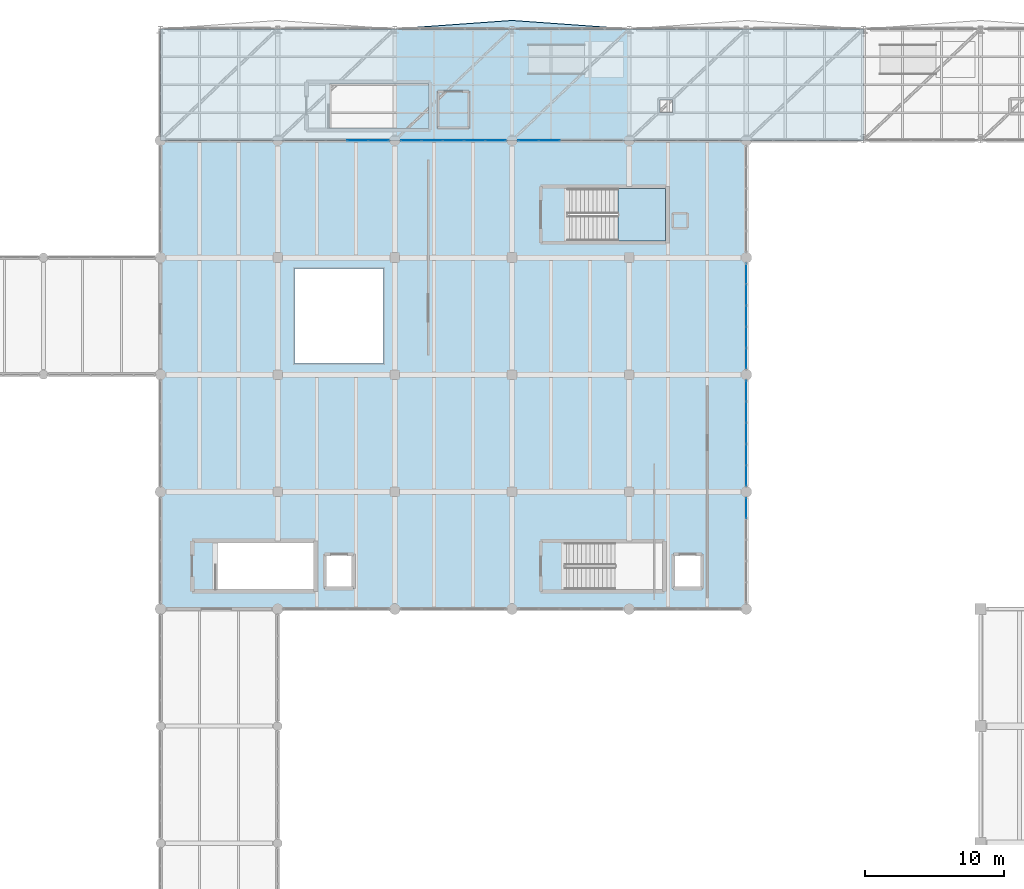
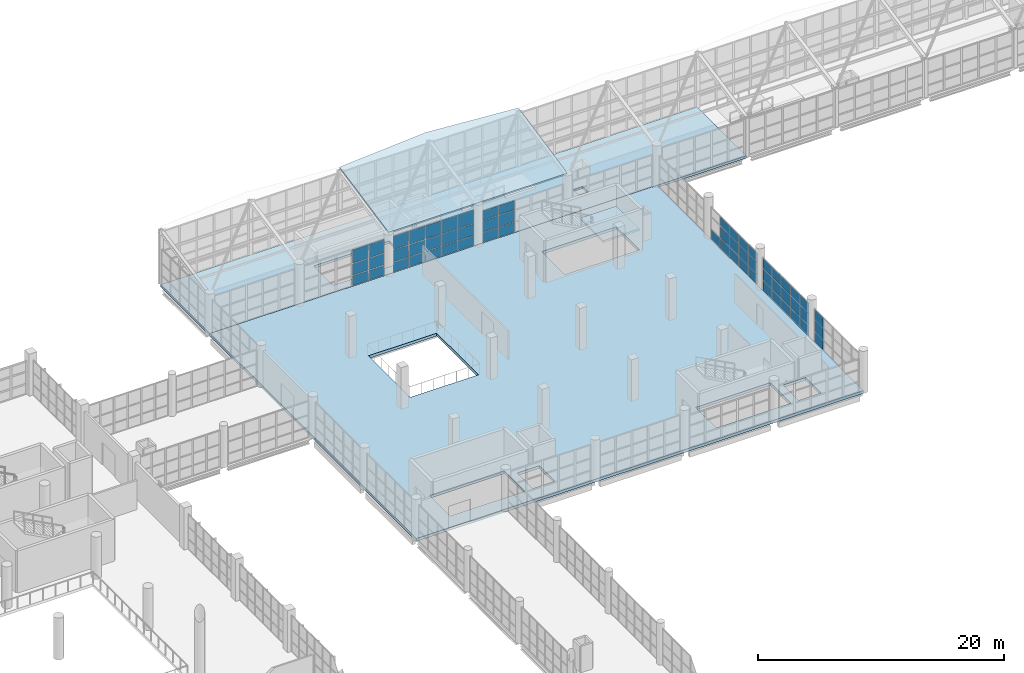
# One storey, part 134 of 177: 58 plates, 4 slabs, 7 elements without a shape of their own.
"""IFC4 building model written with IfcOpenShell, lengths in metres."""

from ifc_helpers import new_model, si_unit, direction, frame, origin, origin_2d, place, context, subcontext, project, spatial, polyline, rectangle, outline, extrude, material, layer, layer_set, type_object, element, aggregate, save


model = new_model("IFC4")

# Units and contexts
model_context = context("Model", 3, precision=1e-05, world=origin(), true_north=direction((0.0, 1.0)))
body_context = subcontext(model_context, "Body", "Model", "MODEL_VIEW")
ifc_project = project(units=[si_unit("LENGTHUNIT", "METRE"), si_unit("AREAUNIT", "SQUARE_METRE"), si_unit("VOLUMEUNIT", "CUBIC_METRE"), si_unit("PLANEANGLEUNIT", "RADIAN"), si_unit("MASSUNIT", "GRAM", prefix="KILO"), si_unit("THERMODYNAMICTEMPERATUREUNIT", "KELVIN"), si_unit("POWERUNIT", "WATT")], contexts=[model_context])

# Site, building, storey
site_placement = place(None, origin())
site = spatial("IfcSite", under=ifc_project, at=site_placement, CompositionType="ELEMENT")
building_placement = place(site_placement, origin())
building = spatial("IfcBuilding", under=site, at=building_placement, Name="Mavoryth Pier Ferry Terminal", CompositionType="ELEMENT")
storey_placement = place(building_placement, frame((0.0, 0.0, 5.43994140625)))
storey = spatial("IfcBuildingStorey", under=building, at=storey_placement, Name="L01", CompositionType="ELEMENT", Elevation=5.43994140625)

# Curtain wall, plates
ifc_material_1 = material(Name="Anodised Aluminium and Solar-Control Low-E Glass", Category="aluminium")
ifc_layer_1 = layer(ifc_material_1, 0.159912109375, Name="Anodised Aluminium and Solar-Control Low-E Glass", Category="aluminium")
ifc_layer_set_1 = layer_set([ifc_layer_1], Name="Anodised Aluminium and Solar-Control Low-E Glass - CW-Arrivals-Mod1400")
curtain_wall_type = type_object("IfcCurtainWallType", Name="CW-Arrivals-Mod1400", PredefinedType="USERDEFINED", material=ifc_layer_set_1)
curtain_wall_1_placement = place(storey_placement, origin())
curtain_wall_1 = element("IfcCurtainWall", 1, at=curtain_wall_1_placement, inside=storey, type_object=curtain_wall_type, Name="Curtain Wall CW-0122-052", ObjectType="UNITISED CURTAIN WALL", PredefinedType="USERDEFINED")
ifc_material_2 = material(Name="Solar-Control Low-E Laminated Double Glazing", Category="glass")
ifc_layer_2 = layer(ifc_material_2, 0.02392578125, Name="Solar-Control Low-E Laminated Double Glazing", Category="glass")
ifc_layer_set_2 = layer_set([ifc_layer_2], Name="Solar-Control Low-E Laminated Double Glazing - Panel-LowE-DGU-24")
plate_type = type_object("IfcPlateType", Name="Panel-LowE-DGU-24", PredefinedType="CURTAIN_PANEL", material=ifc_layer_set_2)
plate_1_placement = place(storey_placement, frame((66.032958984375, 106.0, 0.06005859375), z_axis=(0.0, 0.0, 1.0), x_axis=(-1.0, 0.0, 0.0)))
plate_1 = element("IfcPlate", 2, at=plate_1_placement, type_object=plate_type, Name="CW04 panel 1.1", PredefinedType="CURTAIN_PANEL", context=body_context, shape_type="SweptSolid", body=[
    extrude(rectangle(XDim=1.43408203125, YDim=0.02392578125, at=origin_2d()), origin(), (0.0, 0.0, 1.0), 0.9599609375),
])
plate_2_placement = place(storey_placement, frame((66.032958984375, 106.0, 1.080078125), z_axis=(0.0, 0.0, 1.0), x_axis=(-1.0, 0.0, 0.0)))
plate_2 = element("IfcPlate", 3, at=plate_2_placement, type_object=plate_type, Name="CW04 panel 1.2", PredefinedType="CURTAIN_PANEL", context=body_context, shape_type="SweptSolid", body=[
    extrude(rectangle(XDim=1.43408203125, YDim=0.02392578125, at=origin_2d()), origin(), (0.0, 0.0, 1.0), 1.139892578125),
])
plate_3_placement = place(storey_placement, frame((66.032958984375, 106.0, 2.27978515625), z_axis=(0.0, 0.0, 1.0), x_axis=(-1.0, 0.0, 0.0)))
plate_3 = element("IfcPlate", 4, at=plate_3_placement, type_object=plate_type, Name="CW04 panel 1.3", PredefinedType="CURTAIN_PANEL", context=body_context, shape_type="SweptSolid", body=[
    extrude(rectangle(XDim=1.43408203125, YDim=0.02392578125, at=origin_2d()), origin(), (0.0, 0.0, 1.0), 1.320068359375),
])
plate_4_placement = place(storey_placement, frame((64.52392578125, 106.0, 0.06005859375), z_axis=(0.0, 0.0, 1.0), x_axis=(-1.0, 0.0, 0.0)))
plate_4 = element("IfcPlate", 5, at=plate_4_placement, type_object=plate_type, Name="CW04 panel 2.1", PredefinedType="CURTAIN_PANEL", context=body_context, shape_type="SweptSolid", body=[
    extrude(rectangle(XDim=1.464111328125, YDim=0.02392578125, at=origin_2d()), origin(), (0.0, 0.0, 1.0), 0.9599609375),
])
plate_5_placement = place(storey_placement, frame((64.52392578125, 106.0, 1.080078125), z_axis=(0.0, 0.0, 1.0), x_axis=(-1.0, 0.0, 0.0)))
plate_5 = element("IfcPlate", 6, at=plate_5_placement, type_object=plate_type, Name="CW04 panel 2.2", PredefinedType="CURTAIN_PANEL", context=body_context, shape_type="SweptSolid", body=[
    extrude(rectangle(XDim=1.464111328125, YDim=0.02392578125, at=origin_2d()), origin(), (0.0, 0.0, 1.0), 1.139892578125),
])
plate_6_placement = place(storey_placement, frame((64.52392578125, 106.0, 2.27978515625), z_axis=(0.0, 0.0, 1.0), x_axis=(-1.0, 0.0, 0.0)))
plate_6 = element("IfcPlate", 7, at=plate_6_placement, type_object=plate_type, Name="CW04 panel 2.3", PredefinedType="CURTAIN_PANEL", context=body_context, shape_type="SweptSolid", body=[
    extrude(rectangle(XDim=1.464111328125, YDim=0.02392578125, at=origin_2d()), origin(), (0.0, 0.0, 1.0), 1.320068359375),
])
aggregate(curtain_wall_1, [plate_1, plate_2, plate_3, plate_4, plate_5, plate_6])

curtain_wall_2_placement = place(storey_placement, origin())
curtain_wall_2 = element("IfcCurtainWall", 8, at=curtain_wall_2_placement, inside=storey, type_object=curtain_wall_type, Name="Curtain Wall CW-0122-055", ObjectType="UNITISED CURTAIN WALL", PredefinedType="USERDEFINED")
plate_7_placement = place(storey_placement, frame((74.43310546875, 106.0, 0.06005859375), z_axis=(0.0, 0.0, 1.0), x_axis=(-1.0, 0.0, 0.0)))
plate_7 = element("IfcPlate", 9, at=plate_7_placement, type_object=plate_type, Name="CW04 panel 1.1", PredefinedType="CURTAIN_PANEL", context=body_context, shape_type="SweptSolid", body=[
    extrude(rectangle(XDim=1.43408203125, YDim=0.02392578125, at=origin_2d()), origin(), (0.0, 0.0, 1.0), 0.9599609375),
])
plate_8_placement = place(storey_placement, frame((74.43310546875, 106.0, 1.080078125), z_axis=(0.0, 0.0, 1.0), x_axis=(-1.0, 0.0, 0.0)))
plate_8 = element("IfcPlate", 10, at=plate_8_placement, type_object=plate_type, Name="CW04 panel 1.2", PredefinedType="CURTAIN_PANEL", context=body_context, shape_type="SweptSolid", body=[
    extrude(rectangle(XDim=1.43408203125, YDim=0.02392578125, at=origin_2d()), origin(), (0.0, 0.0, 1.0), 1.139892578125),
])
plate_9_placement = place(storey_placement, frame((74.43310546875, 106.0, 2.27978515625), z_axis=(0.0, 0.0, 1.0), x_axis=(-1.0, 0.0, 0.0)))
plate_9 = element("IfcPlate", 11, at=plate_9_placement, type_object=plate_type, Name="CW04 panel 1.3", PredefinedType="CURTAIN_PANEL", context=body_context, shape_type="SweptSolid", body=[
    extrude(rectangle(XDim=1.43408203125, YDim=0.02392578125, at=origin_2d()), origin(), (0.0, 0.0, 1.0), 1.320068359375),
])
plate_10_placement = place(storey_placement, frame((72.924072265625, 106.0, 0.06005859375), z_axis=(0.0, 0.0, 1.0), x_axis=(-1.0, 0.0, 0.0)))
plate_10 = element("IfcPlate", 12, at=plate_10_placement, type_object=plate_type, Name="CW04 panel 2.1", PredefinedType="CURTAIN_PANEL", context=body_context, shape_type="SweptSolid", body=[
    extrude(rectangle(XDim=1.464111328125, YDim=0.02392578125, at=origin_2d()), origin(), (0.0, 0.0, 1.0), 0.9599609375),
])
plate_11_placement = place(storey_placement, frame((72.924072265625, 106.0, 1.080078125), z_axis=(0.0, 0.0, 1.0), x_axis=(-1.0, 0.0, 0.0)))
plate_11 = element("IfcPlate", 13, at=plate_11_placement, type_object=plate_type, Name="CW04 panel 2.2", PredefinedType="CURTAIN_PANEL", context=body_context, shape_type="SweptSolid", body=[
    extrude(rectangle(XDim=1.464111328125, YDim=0.02392578125, at=origin_2d()), origin(), (0.0, 0.0, 1.0), 1.139892578125),
])
plate_12_placement = place(storey_placement, frame((72.924072265625, 106.0, 2.27978515625), z_axis=(0.0, 0.0, 1.0), x_axis=(-1.0, 0.0, 0.0)))
plate_12 = element("IfcPlate", 14, at=plate_12_placement, type_object=plate_type, Name="CW04 panel 2.3", PredefinedType="CURTAIN_PANEL", context=body_context, shape_type="SweptSolid", body=[
    extrude(rectangle(XDim=1.464111328125, YDim=0.02392578125, at=origin_2d()), origin(), (0.0, 0.0, 1.0), 1.320068359375),
])
plate_13_placement = place(storey_placement, frame((71.39990234375, 106.0, 0.06005859375), z_axis=(0.0, 0.0, 1.0), x_axis=(-1.0, 0.0, 0.0)))
plate_13 = element("IfcPlate", 15, at=plate_13_placement, type_object=plate_type, Name="CW04 panel 3.1", PredefinedType="CURTAIN_PANEL", context=body_context, shape_type="SweptSolid", body=[
    extrude(rectangle(XDim=1.464111328125, YDim=0.02392578125, at=origin_2d()), origin(), (0.0, 0.0, 1.0), 0.9599609375),
])
plate_14_placement = place(storey_placement, frame((71.39990234375, 106.0, 1.080078125), z_axis=(0.0, 0.0, 1.0), x_axis=(-1.0, 0.0, 0.0)))
plate_14 = element("IfcPlate", 16, at=plate_14_placement, type_object=plate_type, Name="CW04 panel 3.2", PredefinedType="CURTAIN_PANEL", context=body_context, shape_type="SweptSolid", body=[
    extrude(rectangle(XDim=1.464111328125, YDim=0.02392578125, at=origin_2d()), origin(), (0.0, 0.0, 1.0), 1.139892578125),
])
plate_15_placement = place(storey_placement, frame((71.39990234375, 106.0, 2.27978515625), z_axis=(0.0, 0.0, 1.0), x_axis=(-1.0, 0.0, 0.0)))
plate_15 = element("IfcPlate", 17, at=plate_15_placement, type_object=plate_type, Name="CW04 panel 3.3", PredefinedType="CURTAIN_PANEL", context=body_context, shape_type="SweptSolid", body=[
    extrude(rectangle(XDim=1.464111328125, YDim=0.02392578125, at=origin_2d()), origin(), (0.0, 0.0, 1.0), 1.320068359375),
])
plate_16_placement = place(storey_placement, frame((69.8759765625, 106.0, 0.06005859375), z_axis=(0.0, 0.0, 1.0), x_axis=(-1.0, 0.0, 0.0)))
plate_16 = element("IfcPlate", 18, at=plate_16_placement, type_object=plate_type, Name="CW04 panel 4.1", PredefinedType="CURTAIN_PANEL", context=body_context, shape_type="SweptSolid", body=[
    extrude(rectangle(XDim=1.464111328125, YDim=0.02392578125, at=origin_2d()), origin(), (0.0, 0.0, 1.0), 0.9599609375),
])
plate_17_placement = place(storey_placement, frame((69.8759765625, 106.0, 1.080078125), z_axis=(0.0, 0.0, 1.0), x_axis=(-1.0, 0.0, 0.0)))
plate_17 = element("IfcPlate", 19, at=plate_17_placement, type_object=plate_type, Name="CW04 panel 4.2", PredefinedType="CURTAIN_PANEL", context=body_context, shape_type="SweptSolid", body=[
    extrude(rectangle(XDim=1.464111328125, YDim=0.02392578125, at=origin_2d()), origin(), (0.0, 0.0, 1.0), 1.139892578125),
])
plate_18_placement = place(storey_placement, frame((69.8759765625, 106.0, 2.27978515625), z_axis=(0.0, 0.0, 1.0), x_axis=(-1.0, 0.0, 0.0)))
plate_18 = element("IfcPlate", 20, at=plate_18_placement, type_object=plate_type, Name="CW04 panel 4.3", PredefinedType="CURTAIN_PANEL", context=body_context, shape_type="SweptSolid", body=[
    extrude(rectangle(XDim=1.464111328125, YDim=0.02392578125, at=origin_2d()), origin(), (0.0, 0.0, 1.0), 1.320068359375),
])
plate_19_placement = place(storey_placement, frame((68.366943359375, 106.0, 0.06005859375), z_axis=(0.0, 0.0, 1.0), x_axis=(-1.0, 0.0, 0.0)))
plate_19 = element("IfcPlate", 21, at=plate_19_placement, type_object=plate_type, Name="CW04 panel 5.1", PredefinedType="CURTAIN_PANEL", context=body_context, shape_type="SweptSolid", body=[
    extrude(rectangle(XDim=1.43408203125, YDim=0.02392578125, at=origin_2d()), origin(), (0.0, 0.0, 1.0), 0.9599609375),
])
plate_20_placement = place(storey_placement, frame((68.366943359375, 106.0, 1.080078125), z_axis=(0.0, 0.0, 1.0), x_axis=(-1.0, 0.0, 0.0)))
plate_20 = element("IfcPlate", 22, at=plate_20_placement, type_object=plate_type, Name="CW04 panel 5.2", PredefinedType="CURTAIN_PANEL", context=body_context, shape_type="SweptSolid", body=[
    extrude(rectangle(XDim=1.43408203125, YDim=0.02392578125, at=origin_2d()), origin(), (0.0, 0.0, 1.0), 1.139892578125),
])
plate_21_placement = place(storey_placement, frame((68.366943359375, 106.0, 2.27978515625), z_axis=(0.0, 0.0, 1.0), x_axis=(-1.0, 0.0, 0.0)))
plate_21 = element("IfcPlate", 23, at=plate_21_placement, type_object=plate_type, Name="CW04 panel 5.3", PredefinedType="CURTAIN_PANEL", context=body_context, shape_type="SweptSolid", body=[
    extrude(rectangle(XDim=1.43408203125, YDim=0.02392578125, at=origin_2d()), origin(), (0.0, 0.0, 1.0), 1.320068359375),
])
aggregate(curtain_wall_2, [plate_7, plate_8, plate_9, plate_10, plate_11, plate_12, plate_13, plate_14, plate_15, plate_16, plate_17, plate_18, plate_19, plate_20, plate_21])

curtain_wall_3_placement = place(storey_placement, origin())
curtain_wall_3 = element("IfcCurtainWall", 24, at=curtain_wall_3_placement, inside=storey, type_object=curtain_wall_type, Name="Curtain Wall CW-0122-058", ObjectType="UNITISED CURTAIN WALL", PredefinedType="USERDEFINED")
plate_22_placement = place(storey_placement, frame((78.27587890625, 106.0, 0.06005859375), z_axis=(0.0, 0.0, 1.0), x_axis=(-1.0, 0.0, 0.0)))
plate_22 = element("IfcPlate", 25, at=plate_22_placement, type_object=plate_type, Name="CW04 panel 4.1", PredefinedType="CURTAIN_PANEL", context=body_context, shape_type="SweptSolid", body=[
    extrude(rectangle(XDim=1.464111328125, YDim=0.02392578125, at=origin_2d()), origin(), (0.0, 0.0, 1.0), 0.9599609375),
])
plate_23_placement = place(storey_placement, frame((78.27587890625, 106.0, 1.080078125), z_axis=(0.0, 0.0, 1.0), x_axis=(-1.0, 0.0, 0.0)))
plate_23 = element("IfcPlate", 26, at=plate_23_placement, type_object=plate_type, Name="CW04 panel 4.2", PredefinedType="CURTAIN_PANEL", context=body_context, shape_type="SweptSolid", body=[
    extrude(rectangle(XDim=1.464111328125, YDim=0.02392578125, at=origin_2d()), origin(), (0.0, 0.0, 1.0), 1.139892578125),
])
plate_24_placement = place(storey_placement, frame((78.27587890625, 106.0, 2.2802734375), z_axis=(0.0, 0.0, 1.0), x_axis=(-1.0, 0.0, 0.0)))
plate_24 = element("IfcPlate", 27, at=plate_24_placement, type_object=plate_type, Name="CW04 panel 4.3", PredefinedType="CURTAIN_PANEL", context=body_context, shape_type="SweptSolid", body=[
    extrude(rectangle(XDim=1.464111328125, YDim=0.02392578125, at=origin_2d()), origin(), (0.0, 0.0, 1.0), 0.905029296875),
])
plate_25_placement = place(storey_placement, frame((76.76708984375, 106.0, 0.06005859375), z_axis=(0.0, 0.0, 1.0), x_axis=(-1.0, 0.0, 0.0)))
plate_25 = element("IfcPlate", 28, at=plate_25_placement, type_object=plate_type, Name="CW04 panel 5.1", PredefinedType="CURTAIN_PANEL", context=body_context, shape_type="SweptSolid", body=[
    extrude(rectangle(XDim=1.43408203125, YDim=0.02392578125, at=origin_2d()), origin(), (0.0, 0.0, 1.0), 0.9599609375),
])
plate_26_placement = place(storey_placement, frame((76.76708984375, 106.0, 1.080078125), z_axis=(0.0, 0.0, 1.0), x_axis=(-1.0, 0.0, 0.0)))
plate_26 = element("IfcPlate", 29, at=plate_26_placement, type_object=plate_type, Name="CW04 panel 5.2", PredefinedType="CURTAIN_PANEL", context=body_context, shape_type="SweptSolid", body=[
    extrude(rectangle(XDim=1.43408203125, YDim=0.02392578125, at=origin_2d()), origin(), (0.0, 0.0, 1.0), 1.139892578125),
])
plate_27_placement = place(storey_placement, frame((76.76708984375, 106.0, 2.2802734375), z_axis=(0.0, 0.0, 1.0), x_axis=(-1.0, 0.0, 0.0)))
plate_27 = element("IfcPlate", 30, at=plate_27_placement, type_object=plate_type, Name="CW04 panel 5.3", PredefinedType="CURTAIN_PANEL", context=body_context, shape_type="SweptSolid", body=[
    extrude(rectangle(XDim=1.43408203125, YDim=0.02392578125, at=origin_2d()), origin(), (0.0, 0.0, 1.0), 0.905029296875),
])
aggregate(curtain_wall_3, [plate_22, plate_23, plate_24, plate_25, plate_26, plate_27])

curtain_wall_4_placement = place(storey_placement, origin())
curtain_wall_4 = element("IfcCurtainWall", 31, at=curtain_wall_4_placement, inside=storey, type_object=curtain_wall_type, Name="Curtain Wall CW-0122-065", ObjectType="UNITISED CURTAIN WALL", PredefinedType="USERDEFINED")
plate_28_placement = place(storey_placement, frame((92.39990234375, 79.633056640625, 0.06005859375), z_axis=(0.0, 0.0, 1.0), x_axis=(0.0, 1.0, 0.0)))
plate_28 = element("IfcPlate", 32, at=plate_28_placement, type_object=plate_type, Name="CW04 panel 5.1", PredefinedType="CURTAIN_PANEL", context=body_context, shape_type="SweptSolid", body=[
    extrude(rectangle(XDim=1.43408203125, YDim=0.02392578125, at=origin_2d()), origin(), (0.0, 0.0, 1.0), 0.9599609375),
])
plate_29_placement = place(storey_placement, frame((92.39990234375, 79.633056640625, 1.080078125), z_axis=(0.0, 0.0, 1.0), x_axis=(0.0, 1.0, 0.0)))
plate_29 = element("IfcPlate", 33, at=plate_29_placement, type_object=plate_type, Name="CW04 panel 5.2", PredefinedType="CURTAIN_PANEL", context=body_context, shape_type="SweptSolid", body=[
    extrude(rectangle(XDim=1.43408203125, YDim=0.02392578125, at=origin_2d()), origin(), (0.0, 0.0, 1.0), 1.139892578125),
])
plate_30_placement = place(storey_placement, frame((92.39990234375, 79.633056640625, 2.27978515625), z_axis=(0.0, 0.0, 1.0), x_axis=(0.0, 1.0, 0.0)))
plate_30 = element("IfcPlate", 34, at=plate_30_placement, type_object=plate_type, Name="CW04 panel 5.3", PredefinedType="CURTAIN_PANEL", context=body_context, shape_type="SweptSolid", body=[
    extrude(rectangle(XDim=1.43408203125, YDim=0.02392578125, at=origin_2d()), origin(), (0.0, 0.0, 1.0), 0.985107421875),
])
aggregate(curtain_wall_4, [plate_28, plate_29, plate_30])

curtain_wall_5_placement = place(storey_placement, origin())
curtain_wall_5 = element("IfcCurtainWall", 35, at=curtain_wall_5_placement, inside=storey, type_object=curtain_wall_type, Name="Curtain Wall CW-0122-067", ObjectType="UNITISED CURTAIN WALL", PredefinedType="USERDEFINED")
plate_31_placement = place(storey_placement, frame((92.39990234375, 81.967041015625, 0.06005859375), z_axis=(0.0, 0.0, 1.0), x_axis=(0.0, 1.0, 0.0)))
plate_31 = element("IfcPlate", 36, at=plate_31_placement, type_object=plate_type, Name="CW04 panel 1.1", PredefinedType="CURTAIN_PANEL", context=body_context, shape_type="SweptSolid", body=[
    extrude(rectangle(XDim=1.43408203125, YDim=0.02392578125, at=origin_2d()), origin(), (0.0, 0.0, 1.0), 0.9599609375),
])
plate_32_placement = place(storey_placement, frame((92.39990234375, 81.967041015625, 1.080078125), z_axis=(0.0, 0.0, 1.0), x_axis=(0.0, 1.0, 0.0)))
plate_32 = element("IfcPlate", 37, at=plate_32_placement, type_object=plate_type, Name="CW04 panel 1.2", PredefinedType="CURTAIN_PANEL", context=body_context, shape_type="SweptSolid", body=[
    extrude(rectangle(XDim=1.43408203125, YDim=0.02392578125, at=origin_2d()), origin(), (0.0, 0.0, 1.0), 1.139892578125),
])
plate_33_placement = place(storey_placement, frame((92.39990234375, 81.967041015625, 2.27978515625), z_axis=(0.0, 0.0, 1.0), x_axis=(0.0, 1.0, 0.0)))
plate_33 = element("IfcPlate", 38, at=plate_33_placement, type_object=plate_type, Name="CW04 panel 1.3", PredefinedType="CURTAIN_PANEL", context=body_context, shape_type="SweptSolid", body=[
    extrude(rectangle(XDim=1.43408203125, YDim=0.02392578125, at=origin_2d()), origin(), (0.0, 0.0, 1.0), 0.985107421875),
])
plate_34_placement = place(storey_placement, frame((92.39990234375, 83.47607421875, 0.06005859375), z_axis=(0.0, 0.0, 1.0), x_axis=(0.0, 1.0, 0.0)))
plate_34 = element("IfcPlate", 39, at=plate_34_placement, type_object=plate_type, Name="CW04 panel 2.1", PredefinedType="CURTAIN_PANEL", context=body_context, shape_type="SweptSolid", body=[
    extrude(rectangle(XDim=1.464111328125, YDim=0.02392578125, at=origin_2d()), origin(), (0.0, 0.0, 1.0), 0.9599609375),
])
plate_35_placement = place(storey_placement, frame((92.39990234375, 83.47607421875, 1.080078125), z_axis=(0.0, 0.0, 1.0), x_axis=(0.0, 1.0, 0.0)))
plate_35 = element("IfcPlate", 40, at=plate_35_placement, type_object=plate_type, Name="CW04 panel 2.2", PredefinedType="CURTAIN_PANEL", context=body_context, shape_type="SweptSolid", body=[
    extrude(rectangle(XDim=1.464111328125, YDim=0.02392578125, at=origin_2d()), origin(), (0.0, 0.0, 1.0), 1.139892578125),
])
plate_36_placement = place(storey_placement, frame((92.39990234375, 83.47607421875, 2.27978515625), z_axis=(0.0, 0.0, 1.0), x_axis=(0.0, 1.0, 0.0)))
plate_36 = element("IfcPlate", 41, at=plate_36_placement, type_object=plate_type, Name="CW04 panel 2.3", PredefinedType="CURTAIN_PANEL", context=body_context, shape_type="SweptSolid", body=[
    extrude(rectangle(XDim=1.464111328125, YDim=0.02392578125, at=origin_2d()), origin(), (0.0, 0.0, 1.0), 0.985107421875),
])
plate_37_placement = place(storey_placement, frame((92.39990234375, 85.0, 0.06005859375), z_axis=(0.0, 0.0, 1.0), x_axis=(0.0, 1.0, 0.0)))
plate_37 = element("IfcPlate", 42, at=plate_37_placement, type_object=plate_type, Name="CW04 panel 3.1", PredefinedType="CURTAIN_PANEL", context=body_context, shape_type="SweptSolid", body=[
    extrude(rectangle(XDim=1.464111328125, YDim=0.02392578125, at=origin_2d()), origin(), (0.0, 0.0, 1.0), 0.9599609375),
])
plate_38_placement = place(storey_placement, frame((92.39990234375, 85.0, 1.080078125), z_axis=(0.0, 0.0, 1.0), x_axis=(0.0, 1.0, 0.0)))
plate_38 = element("IfcPlate", 43, at=plate_38_placement, type_object=plate_type, Name="CW04 panel 3.2", PredefinedType="CURTAIN_PANEL", context=body_context, shape_type="SweptSolid", body=[
    extrude(rectangle(XDim=1.464111328125, YDim=0.02392578125, at=origin_2d()), origin(), (0.0, 0.0, 1.0), 1.139892578125),
])
plate_39_placement = place(storey_placement, frame((92.39990234375, 85.0, 2.27978515625), z_axis=(0.0, 0.0, 1.0), x_axis=(0.0, 1.0, 0.0)))
plate_39 = element("IfcPlate", 44, at=plate_39_placement, type_object=plate_type, Name="CW04 panel 3.3", PredefinedType="CURTAIN_PANEL", context=body_context, shape_type="SweptSolid", body=[
    extrude(rectangle(XDim=1.464111328125, YDim=0.02392578125, at=origin_2d()), origin(), (0.0, 0.0, 1.0), 0.985107421875),
])
plate_40_placement = place(storey_placement, frame((92.39990234375, 86.52392578125, 0.06005859375), z_axis=(0.0, 0.0, 1.0), x_axis=(0.0, 1.0, 0.0)))
plate_40 = element("IfcPlate", 45, at=plate_40_placement, type_object=plate_type, Name="CW04 panel 4.1", PredefinedType="CURTAIN_PANEL", context=body_context, shape_type="SweptSolid", body=[
    extrude(rectangle(XDim=1.464111328125, YDim=0.02392578125, at=origin_2d()), origin(), (0.0, 0.0, 1.0), 0.9599609375),
])
plate_41_placement = place(storey_placement, frame((92.39990234375, 86.52392578125, 1.080078125), z_axis=(0.0, 0.0, 1.0), x_axis=(0.0, 1.0, 0.0)))
plate_41 = element("IfcPlate", 46, at=plate_41_placement, type_object=plate_type, Name="CW04 panel 4.2", PredefinedType="CURTAIN_PANEL", context=body_context, shape_type="SweptSolid", body=[
    extrude(rectangle(XDim=1.464111328125, YDim=0.02392578125, at=origin_2d()), origin(), (0.0, 0.0, 1.0), 1.139892578125),
])
plate_42_placement = place(storey_placement, frame((92.39990234375, 86.52392578125, 2.27978515625), z_axis=(0.0, 0.0, 1.0), x_axis=(0.0, 1.0, 0.0)))
plate_42 = element("IfcPlate", 47, at=plate_42_placement, type_object=plate_type, Name="CW04 panel 4.3", PredefinedType="CURTAIN_PANEL", context=body_context, shape_type="SweptSolid", body=[
    extrude(rectangle(XDim=1.464111328125, YDim=0.02392578125, at=origin_2d()), origin(), (0.0, 0.0, 1.0), 0.985107421875),
])
plate_43_placement = place(storey_placement, frame((92.39990234375, 88.032958984375, 0.06005859375), z_axis=(0.0, 0.0, 1.0), x_axis=(0.0, 1.0, 0.0)))
plate_43 = element("IfcPlate", 48, at=plate_43_placement, type_object=plate_type, Name="CW04 panel 5.1", PredefinedType="CURTAIN_PANEL", context=body_context, shape_type="SweptSolid", body=[
    extrude(rectangle(XDim=1.43408203125, YDim=0.02392578125, at=origin_2d()), origin(), (0.0, 0.0, 1.0), 0.9599609375),
])
plate_44_placement = place(storey_placement, frame((92.39990234375, 88.032958984375, 1.080078125), z_axis=(0.0, 0.0, 1.0), x_axis=(0.0, 1.0, 0.0)))
plate_44 = element("IfcPlate", 49, at=plate_44_placement, type_object=plate_type, Name="CW04 panel 5.2", PredefinedType="CURTAIN_PANEL", context=body_context, shape_type="SweptSolid", body=[
    extrude(rectangle(XDim=1.43408203125, YDim=0.02392578125, at=origin_2d()), origin(), (0.0, 0.0, 1.0), 1.139892578125),
])
plate_45_placement = place(storey_placement, frame((92.39990234375, 88.032958984375, 2.27978515625), z_axis=(0.0, 0.0, 1.0), x_axis=(0.0, 1.0, 0.0)))
plate_45 = element("IfcPlate", 50, at=plate_45_placement, type_object=plate_type, Name="CW04 panel 5.3", PredefinedType="CURTAIN_PANEL", context=body_context, shape_type="SweptSolid", body=[
    extrude(rectangle(XDim=1.43408203125, YDim=0.02392578125, at=origin_2d()), origin(), (0.0, 0.0, 1.0), 0.985107421875),
])
aggregate(curtain_wall_5, [plate_31, plate_32, plate_33, plate_34, plate_35, plate_36, plate_37, plate_38, plate_39, plate_40, plate_41, plate_42, plate_43, plate_44, plate_45])

curtain_wall_6_placement = place(storey_placement, origin())
curtain_wall_6 = element("IfcCurtainWall", 51, at=curtain_wall_6_placement, inside=storey, type_object=curtain_wall_type, Name="Curtain Wall CW-0122-068", ObjectType="UNITISED CURTAIN WALL", PredefinedType="USERDEFINED")
plate_46_placement = place(storey_placement, frame((92.39990234375, 90.366943359375, 0.06005859375), z_axis=(0.0, 0.0, 1.0), x_axis=(0.0, 1.0, 0.0)))
plate_46 = element("IfcPlate", 52, at=plate_46_placement, type_object=plate_type, Name="CW04 panel 1.1", PredefinedType="CURTAIN_PANEL", context=body_context, shape_type="SweptSolid", body=[
    extrude(rectangle(XDim=1.43408203125, YDim=0.02392578125, at=origin_2d()), origin(), (0.0, 0.0, 1.0), 0.9599609375),
])
plate_47_placement = place(storey_placement, frame((92.39990234375, 90.366943359375, 1.080078125), z_axis=(0.0, 0.0, 1.0), x_axis=(0.0, 1.0, 0.0)))
plate_47 = element("IfcPlate", 53, at=plate_47_placement, type_object=plate_type, Name="CW04 panel 1.2", PredefinedType="CURTAIN_PANEL", context=body_context, shape_type="SweptSolid", body=[
    extrude(rectangle(XDim=1.43408203125, YDim=0.02392578125, at=origin_2d()), origin(), (0.0, 0.0, 1.0), 1.139892578125),
])
plate_48_placement = place(storey_placement, frame((92.39990234375, 90.366943359375, 2.2802734375), z_axis=(0.0, 0.0, 1.0), x_axis=(0.0, 1.0, 0.0)))
plate_48 = element("IfcPlate", 54, at=plate_48_placement, type_object=plate_type, Name="CW04 panel 1.3", PredefinedType="CURTAIN_PANEL", context=body_context, shape_type="SweptSolid", body=[
    extrude(rectangle(XDim=1.43408203125, YDim=0.02392578125, at=origin_2d()), origin(), (0.0, 0.0, 1.0), 0.905029296875),
])
plate_49_placement = place(storey_placement, frame((92.39990234375, 91.8759765625, 0.06005859375), z_axis=(0.0, 0.0, 1.0), x_axis=(0.0, 1.0, 0.0)))
plate_49 = element("IfcPlate", 55, at=plate_49_placement, type_object=plate_type, Name="CW04 panel 2.1", PredefinedType="CURTAIN_PANEL", context=body_context, shape_type="SweptSolid", body=[
    extrude(rectangle(XDim=1.464111328125, YDim=0.02392578125, at=origin_2d()), origin(), (0.0, 0.0, 1.0), 0.9599609375),
])
plate_50_placement = place(storey_placement, frame((92.39990234375, 91.8759765625, 1.080078125), z_axis=(0.0, 0.0, 1.0), x_axis=(0.0, 1.0, 0.0)))
plate_50 = element("IfcPlate", 56, at=plate_50_placement, type_object=plate_type, Name="CW04 panel 2.2", PredefinedType="CURTAIN_PANEL", context=body_context, shape_type="SweptSolid", body=[
    extrude(rectangle(XDim=1.464111328125, YDim=0.02392578125, at=origin_2d()), origin(), (0.0, 0.0, 1.0), 1.139892578125),
])
plate_51_placement = place(storey_placement, frame((92.39990234375, 91.8759765625, 2.2802734375), z_axis=(0.0, 0.0, 1.0), x_axis=(0.0, 1.0, 0.0)))
plate_51 = element("IfcPlate", 57, at=plate_51_placement, type_object=plate_type, Name="CW04 panel 2.3", PredefinedType="CURTAIN_PANEL", context=body_context, shape_type="SweptSolid", body=[
    extrude(rectangle(XDim=1.464111328125, YDim=0.02392578125, at=origin_2d()), origin(), (0.0, 0.0, 1.0), 0.905029296875),
])
plate_52_placement = place(storey_placement, frame((92.39990234375, 93.39990234375, 0.06005859375), z_axis=(0.0, 0.0, 1.0), x_axis=(0.0, 1.0, 0.0)))
plate_52 = element("IfcPlate", 58, at=plate_52_placement, type_object=plate_type, Name="CW04 panel 3.1", PredefinedType="CURTAIN_PANEL", context=body_context, shape_type="SweptSolid", body=[
    extrude(rectangle(XDim=1.464111328125, YDim=0.02392578125, at=origin_2d()), origin(), (0.0, 0.0, 1.0), 0.9599609375),
])
plate_53_placement = place(storey_placement, frame((92.39990234375, 93.39990234375, 1.080078125), z_axis=(0.0, 0.0, 1.0), x_axis=(0.0, 1.0, 0.0)))
plate_53 = element("IfcPlate", 59, at=plate_53_placement, type_object=plate_type, Name="CW04 panel 3.2", PredefinedType="CURTAIN_PANEL", context=body_context, shape_type="SweptSolid", body=[
    extrude(rectangle(XDim=1.464111328125, YDim=0.02392578125, at=origin_2d()), origin(), (0.0, 0.0, 1.0), 1.139892578125),
])
plate_54_placement = place(storey_placement, frame((92.39990234375, 93.39990234375, 2.2802734375), z_axis=(0.0, 0.0, 1.0), x_axis=(0.0, 1.0, 0.0)))
plate_54 = element("IfcPlate", 60, at=plate_54_placement, type_object=plate_type, Name="CW04 panel 3.3", PredefinedType="CURTAIN_PANEL", context=body_context, shape_type="SweptSolid", body=[
    extrude(rectangle(XDim=1.464111328125, YDim=0.02392578125, at=origin_2d()), origin(), (0.0, 0.0, 1.0), 0.905029296875),
])
plate_55_placement = place(storey_placement, frame((92.39990234375, 94.924072265625, 0.06005859375), z_axis=(0.0, 0.0, 1.0), x_axis=(0.0, 1.0, 0.0)))
plate_55 = element("IfcPlate", 61, at=plate_55_placement, type_object=plate_type, Name="CW04 panel 4.1", PredefinedType="CURTAIN_PANEL", context=body_context, shape_type="SweptSolid", body=[
    extrude(rectangle(XDim=1.464111328125, YDim=0.02392578125, at=origin_2d()), origin(), (0.0, 0.0, 1.0), 0.9599609375),
])
plate_56_placement = place(storey_placement, frame((92.39990234375, 94.924072265625, 1.080078125), z_axis=(0.0, 0.0, 1.0), x_axis=(0.0, 1.0, 0.0)))
plate_56 = element("IfcPlate", 62, at=plate_56_placement, type_object=plate_type, Name="CW04 panel 4.2", PredefinedType="CURTAIN_PANEL", context=body_context, shape_type="SweptSolid", body=[
    extrude(rectangle(XDim=1.464111328125, YDim=0.02392578125, at=origin_2d()), origin(), (0.0, 0.0, 1.0), 1.139892578125),
])
plate_57_placement = place(storey_placement, frame((92.39990234375, 94.924072265625, 2.2802734375), z_axis=(0.0, 0.0, 1.0), x_axis=(0.0, 1.0, 0.0)))
plate_57 = element("IfcPlate", 63, at=plate_57_placement, type_object=plate_type, Name="CW04 panel 4.3", PredefinedType="CURTAIN_PANEL", context=body_context, shape_type="SweptSolid", body=[
    extrude(rectangle(XDim=1.464111328125, YDim=0.02392578125, at=origin_2d()), origin(), (0.0, 0.0, 1.0), 0.905029296875),
])
plate_58_placement = place(storey_placement, frame((92.39990234375, 96.43310546875, 0.06005859375), z_axis=(0.0, 0.0, 1.0), x_axis=(0.0, 1.0, 0.0)))
plate_58 = element("IfcPlate", 64, at=plate_58_placement, type_object=plate_type, Name="CW04 panel 5.1", PredefinedType="CURTAIN_PANEL", context=body_context, shape_type="SweptSolid", body=[
    extrude(rectangle(XDim=1.43408203125, YDim=0.02392578125, at=origin_2d()), origin(), (0.0, 0.0, 1.0), 0.9599609375),
])
aggregate(curtain_wall_6, [plate_46, plate_47, plate_48, plate_49, plate_50, plate_51, plate_52, plate_53, plate_54, plate_55, plate_56, plate_57, plate_58])

# Slabs
ifc_material_3 = material(Name="Concrete C35/45", Category="concrete")
ifc_layer_3 = layer(ifc_material_3, 0.239990234375, Name="Concrete C35/45", Category="concrete")
ifc_layer_set_3 = layer_set([ifc_layer_3], Name="Concrete C35/45 - Slab-Floor-Bridge-240")
slab_type_1 = type_object("IfcSlabType", Name="Slab-Floor-Bridge-240", PredefinedType="FLOOR", material=ifc_layer_set_3)
slab_1_placement = place(storey_placement, frame((0.0, 0.0, -0.239990234375)))
element("IfcSlab", 65, at=slab_1_placement, inside=storey, type_object=slab_type_1, Name="Slab SLB-V3W-L01", PredefinedType="FLOOR", context=body_context, shape_type="SweptSolid", body=[
    extrude(outline(polyline([(50.39990234375, 106.0), (100.800048828125, 106.0), (100.800048828125, 114.0), (50.39990234375, 114.0), (50.39990234375, 106.0)]), holes=[polyline([(62.5, 106.89990234375), (69.60009765625, 106.89990234375), (69.60009765625, 110.050048828125), (62.5, 110.050048828125), (62.5, 106.89990234375)]), polyline([(70.25, 106.85009765625), (72.550048828125, 106.85009765625), (72.550048828125, 109.550048828125), (70.25, 109.550048828125), (70.25, 106.85009765625)]), polyline([(86.199951171875, 108.0), (87.10009765625, 108.0), (87.10009765625, 108.89990234375), (86.199951171875, 108.89990234375), (86.199951171875, 108.0)])]), origin(), (0.0, 0.0, 1.0), 0.239990234375),
])
ifc_layer_4 = layer(ifc_material_3, 0.280029296875, Name="Concrete C35/45", Category="concrete")
ifc_layer_set_4 = layer_set([ifc_layer_4], Name="Concrete C35/45 - Slab-Floor-Concourse-280")
slab_type_2 = type_object("IfcSlabType", Name="Slab-Floor-Concourse-280", PredefinedType="FLOOR", material=ifc_layer_set_4)
slab_2_placement = place(storey_placement, frame((0.0, 0.0, -0.280029296875)))
element("IfcSlab", 66, at=slab_2_placement, inside=storey, type_object=slab_type_2, Name="Slab SLB-V2-L01", PredefinedType="FLOOR", context=body_context, shape_type="SweptSolid", body=[
    extrude(outline(polyline([(50.39990234375, 72.39990234375), (92.39990234375, 72.39990234375), (92.39990234375, 106.0), (50.39990234375, 106.0), (50.39990234375, 72.39990234375)]), holes=[polyline([(54.39990234375, 73.800048828125), (61.39990234375, 73.800048828125), (61.39990234375, 77.14990234375), (54.39990234375, 77.14990234375), (54.39990234375, 73.800048828125)]), polyline([(79.39990234375, 73.800048828125), (86.39990234375, 73.800048828125), (86.39990234375, 77.14990234375), (79.39990234375, 77.14990234375), (79.39990234375, 73.800048828125)]), polyline([(79.60009765625, 98.800048828125), (86.60009765625, 98.800048828125), (86.60009765625, 102.550048828125), (79.60009765625, 102.550048828125), (79.60009765625, 98.800048828125)]), polyline([(62.14990234375, 73.85009765625), (64.25, 73.85009765625), (64.25, 76.35009765625), (62.14990234375, 76.35009765625), (62.14990234375, 73.85009765625)]), polyline([(87.14990234375, 73.85009765625), (89.25, 73.85009765625), (89.25, 76.35009765625), (87.14990234375, 76.35009765625), (87.14990234375, 73.85009765625)]), polyline([(60.0, 90.0), (66.39990234375, 90.0), (66.39990234375, 96.800048828125), (60.0, 96.800048828125), (60.0, 90.0)])]), origin(), (0.0, 0.0, 1.0), 0.280029296875),
])

# Stair, slab
stair_type = type_object("IfcStairType", Name="Stair-Feature-W1800", PredefinedType="TWO_STRAIGHT_RUN_STAIR", material=ifc_material_3)
stair_placement = place(storey_placement, origin())
stair = element("IfcStair", 67, at=stair_placement, inside=storey, type_object=stair_type, Name="L01 Arrivals & Quay Promenade Stair", PredefinedType="TWO_STRAIGHT_RUN_STAIR")
ifc_layer_5 = layer(ifc_material_3, 0.199951171875, Name="Concrete C35/45", Category="concrete")
ifc_layer_set_5 = layer_set([ifc_layer_5], Name="Concrete C35/45 - Slab-Landing-RC-200")
slab_type_3 = type_object("IfcSlabType", Name="Slab-Landing-RC-200", PredefinedType="LANDING", material=ifc_layer_set_5)
slab_3_placement = place(storey_placement, frame((0.0, 0.0, 1.880126953125)))
slab_3 = element("IfcSlab", 68, at=slab_3_placement, type_object=slab_type_3, Name="ST15 landing 1", PredefinedType="LANDING", context=body_context, shape_type="SweptSolid", body=[
    extrude(outline(polyline([(83.199951171875, 98.800048828125), (86.60009765625, 98.800048828125), (86.60009765625, 102.550048828125), (83.199951171875, 102.550048828125), (83.199951171875, 98.800048828125)])), origin(), (0.0, 0.0, 1.0), 0.199951171875),
])
aggregate(stair, [slab_3])

# Slab
ifc_layer_6 = layer(ifc_material_3, 0.179931640625, Name="Concrete C35/45", Category="concrete")
ifc_layer_set_6 = layer_set([ifc_layer_6], Name="Concrete C35/45 - Slab-Roof-GalleryV3-180")
slab_type_4 = type_object("IfcSlabType", Name="Slab-Roof-GalleryV3-180", PredefinedType="ROOF", material=ifc_layer_set_6)
slab_4_placement = place(storey_placement, frame((67.199951171875, 106.0, 4.16015625), z_axis=(0.0, -0.19934668232, 0.979929028169), x_axis=(1.0, 0.0, 0.0)))
element("IfcSlab", 69, at=slab_4_placement, inside=storey, type_object=slab_type_4, Name="Boarding Gallery Roof Bay 2", PredefinedType="ROOF", context=body_context, shape_type="SweptSolid", body=[
    extrude(outline(polyline([(0.0, 0.0), (16.800048828125, 0.0), (16.800048828125, 8.163857270357187), (8.400146484375, 8.776244695259313), (0.0, 8.163857270357187), (0.0, 0.0)])), origin(), (0.0, 0.0, -1.0), 0.179931640625),
])

save(model, "model.ifc")
